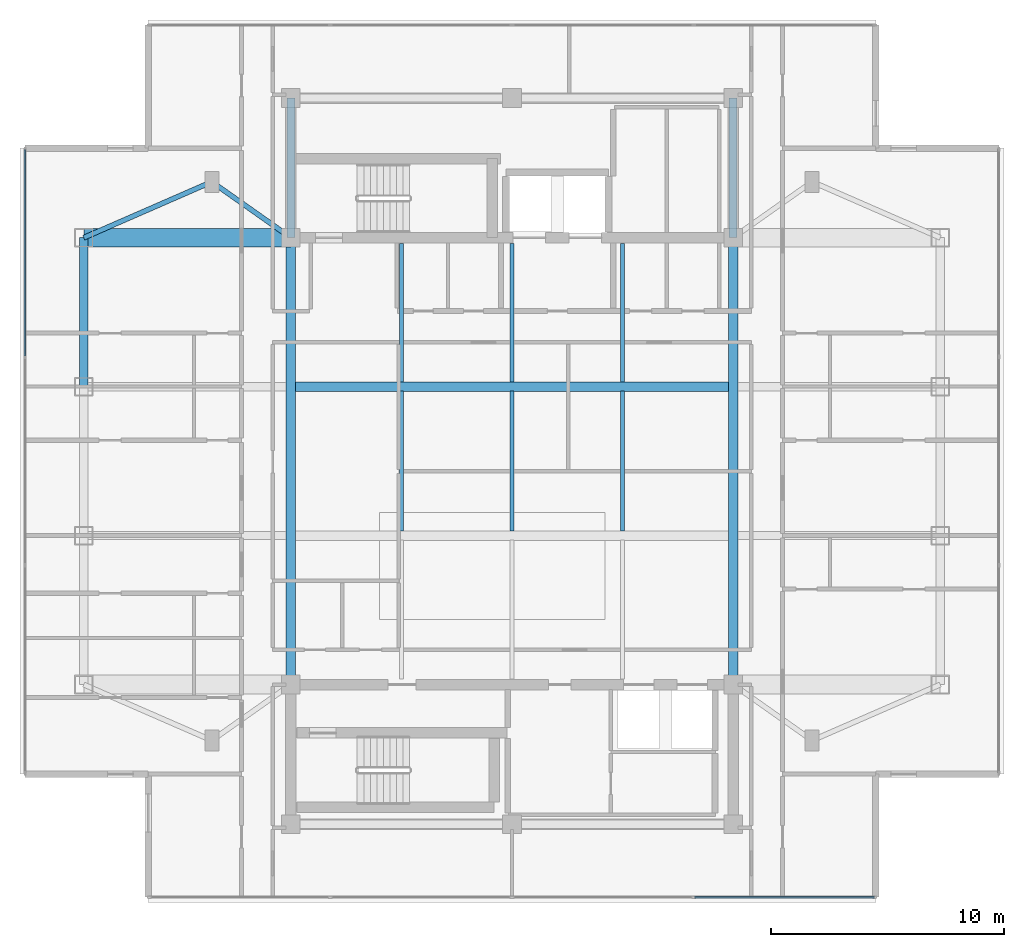
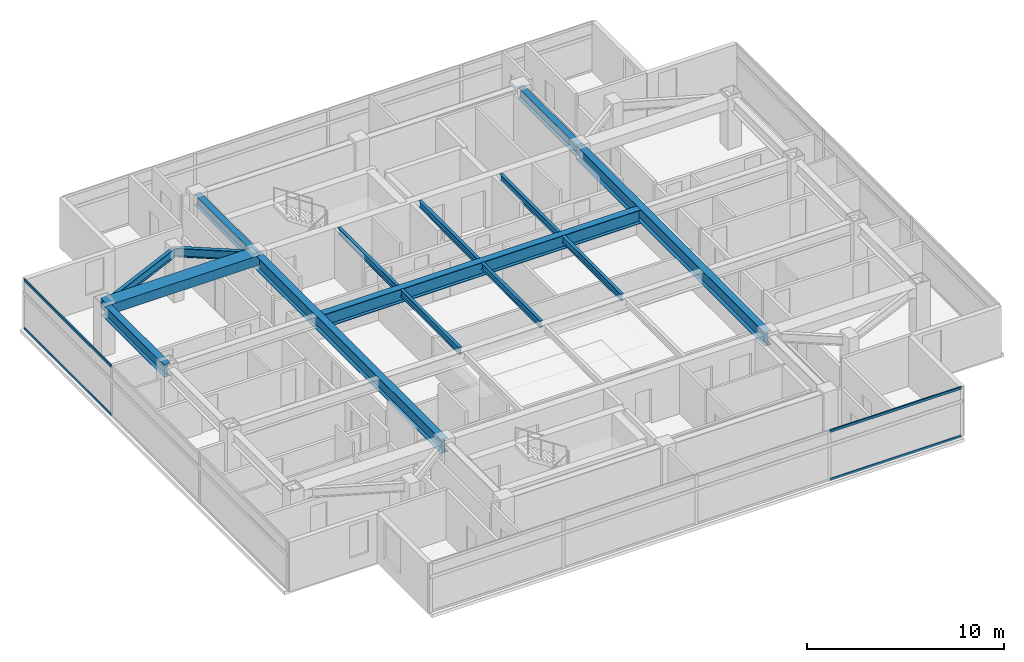
# One storey, part 3 of 15: 15 beams, 4 members, 2 elements without a shape of their own.
"""IFC4 building model written with IfcOpenShell, lengths in metres."""

from ifc_helpers import new_model, si_unit, direction, frame, origin, origin_2d, place, context, subcontext, project, spatial, rectangle, i_section, extrude, material, material_profile, profile_set, type_object, element, aggregate, save


model = new_model("IFC4")

# Units and contexts
model_context = context("Model", 3, precision=1e-05, world=origin(), true_north=direction((0.0, 1.0)))
body_context = subcontext(model_context, "Body", "Model", "MODEL_VIEW")
ifc_project = project(units=[si_unit("LENGTHUNIT", "METRE"), si_unit("AREAUNIT", "SQUARE_METRE"), si_unit("VOLUMEUNIT", "CUBIC_METRE"), si_unit("PLANEANGLEUNIT", "RADIAN"), si_unit("MASSUNIT", "GRAM", prefix="KILO")], contexts=[model_context])

# Site, building, storey
site_placement = place(None, origin())
site = spatial("IfcSite", under=ifc_project, at=site_placement, CompositionType="ELEMENT")
building_placement = place(site_placement, origin())
building = spatial("IfcBuilding", under=site, at=building_placement, Name="Mirazonda Arch Towers", CompositionType="ELEMENT")
storey_placement = place(building_placement, frame((0.0, 0.0, 229.300048828125)))
storey = spatial("IfcBuildingStorey", under=building, at=storey_placement, Name="L65", CompositionType="ELEMENT", Elevation=229.300048828125)

# Beams
ifc_material_1 = material(Name="Steel ASTM A992 Grade 50", Category="steel")
ifc_material_profile_1 = material_profile(ifc_material_1, i_section(OverallWidth=0.381103515625, OverallDepth=0.77294921875, WebThickness=0.0166015625, FlangeThickness=0.027099609375, at=origin_2d()), Name="W30X173")
ifc_profile_set_1 = profile_set([ifc_material_profile_1], Name="Steel ASTM A992 Grade 50")
beam_type_1 = type_object("IfcBeamType", Name="BM-EXT-W30X173", PredefinedType="USERDEFINED", material=ifc_profile_set_1)
beam_1_placement = place(storey_placement, frame((2.10009765625, 31.199951171875, 2.71337890625), z_axis=(0.0, 1.0, 0.0), x_axis=(-1.0, 0.0, 0.0)))
element("IfcBeam", 1, at=beam_1_placement, inside=storey, type_object=beam_type_1, Name="L65 Floor Beam BM-T1-L65-NS-W-31", ObjectType="GIRDER", PredefinedType="USERDEFINED", context=body_context, shape_type="SweptSolid", body=[
    extrude(i_section(OverallWidth=0.381103515625, OverallDepth=0.77294921875, WebThickness=0.0166015625, FlangeThickness=0.027099609375, at=origin_2d()), origin(), (0.0, 0.0, 1.0), 6.400146484375),
])
ifc_material_profile_2 = material_profile(ifc_material_1, i_section(OverallWidth=0.180908203125, OverallDepth=0.4169921875, WebThickness=0.010986328125, FlangeThickness=0.018310546875, at=origin_2d()), Name="W16X57")
ifc_profile_set_2 = profile_set([ifc_material_profile_2], Name="Steel ASTM A992 Grade 50")
beam_type_2 = type_object("IfcBeamType", Name="BM-INT-W16X57", PredefinedType="JOIST", material=ifc_profile_set_2)
beam_2_placement = place(storey_placement, frame((15.75, 31.39599609375, 2.891357421875), z_axis=(0.0, 1.0, 0.0), x_axis=(-1.0, 0.0, 0.0)))
element("IfcBeam", 2, at=beam_2_placement, inside=storey, type_object=beam_type_2, Name="L65 Floor Beam BM-T1-L65-J-157-31", PredefinedType="JOIST", context=body_context, shape_type="SweptSolid", body=[
    extrude(i_section(OverallWidth=0.180908203125, OverallDepth=0.4169921875, WebThickness=0.010986328125, FlangeThickness=0.018310546875, at=origin_2d()), origin(), (0.0, 0.0, 1.0), 5.964111328125),
])
beam_3_placement = place(storey_placement, frame((15.75, 24.99609375, 2.891357421875), z_axis=(0.0, 1.0, 0.0), x_axis=(-1.0, 0.0, 0.0)))
element("IfcBeam", 3, at=beam_3_placement, inside=storey, type_object=beam_type_2, Name="L65 Floor Beam BM-T1-L65-J-157-24", PredefinedType="JOIST", context=body_context, shape_type="SweptSolid", body=[
    extrude(i_section(OverallWidth=0.180908203125, OverallDepth=0.4169921875, WebThickness=0.010986328125, FlangeThickness=0.018310546875, at=origin_2d()), origin(), (0.0, 0.0, 1.0), 6.0078125),
])
beam_4_placement = place(storey_placement, frame((20.5, 31.39599609375, 2.891357421875), z_axis=(0.0, 1.0, 0.0), x_axis=(-1.0, 0.0, 0.0)))
element("IfcBeam", 4, at=beam_4_placement, inside=storey, type_object=beam_type_2, Name="L65 Floor Beam BM-T1-L65-J-205-31", PredefinedType="JOIST", context=body_context, shape_type="SweptSolid", body=[
    extrude(i_section(OverallWidth=0.180908203125, OverallDepth=0.4169921875, WebThickness=0.010986328125, FlangeThickness=0.018310546875, at=origin_2d()), origin(), (0.0, 0.0, 1.0), 5.964111328125),
])
beam_5_placement = place(storey_placement, frame((20.5, 24.99609375, 2.891357421875), z_axis=(0.0, 1.0, 0.0), x_axis=(-1.0, 0.0, 0.0)))
element("IfcBeam", 5, at=beam_5_placement, inside=storey, type_object=beam_type_2, Name="L65 Floor Beam BM-T1-L65-J-205-24", PredefinedType="JOIST", context=body_context, shape_type="SweptSolid", body=[
    extrude(i_section(OverallWidth=0.180908203125, OverallDepth=0.4169921875, WebThickness=0.010986328125, FlangeThickness=0.018310546875, at=origin_2d()), origin(), (0.0, 0.0, 1.0), 6.0078125),
])
beam_6_placement = place(storey_placement, frame((25.25, 31.39599609375, 2.891357421875), z_axis=(0.0, 1.0, 0.0), x_axis=(-1.0, 0.0, 0.0)))
element("IfcBeam", 6, at=beam_6_placement, inside=storey, type_object=beam_type_2, Name="L65 Floor Beam BM-T1-L65-J-252-31", PredefinedType="JOIST", context=body_context, shape_type="SweptSolid", body=[
    extrude(i_section(OverallWidth=0.180908203125, OverallDepth=0.4169921875, WebThickness=0.010986328125, FlangeThickness=0.018310546875, at=origin_2d()), origin(), (0.0, 0.0, 1.0), 5.964111328125),
])
beam_7_placement = place(storey_placement, frame((25.25, 24.99609375, 2.891357421875), z_axis=(0.0, 1.0, 0.0), x_axis=(-1.0, 0.0, 0.0)))
element("IfcBeam", 7, at=beam_7_placement, inside=storey, type_object=beam_type_2, Name="L65 Floor Beam BM-T1-L65-J-252-24", PredefinedType="JOIST", context=body_context, shape_type="SweptSolid", body=[
    extrude(i_section(OverallWidth=0.180908203125, OverallDepth=0.4169921875, WebThickness=0.010986328125, FlangeThickness=0.018310546875, at=origin_2d()), origin(), (0.0, 0.0, 1.0), 6.0078125),
])
ifc_material_profile_3 = material_profile(ifc_material_1, i_section(OverallWidth=0.214111328125, OverallDepth=0.549072265625, WebThickness=0.0146484375, FlangeThickness=0.023681640625, at=origin_2d()), Name="W21X93")
ifc_profile_set_3 = profile_set([ifc_material_profile_3], Name="Steel ASTM A992 Grade 50")
beam_type_3 = type_object("IfcBeamType", Name="BM-INT-W21X93", PredefinedType="BEAM", material=ifc_profile_set_3)
beam_8_placement = place(storey_placement, frame((7.60009765625, 40.0, 2.825439453125), z_axis=(0.816971114901, -0.576678591087, 0.0), x_axis=(0.576678591087, 0.816971114901, 0.0)))
element("IfcBeam", 8, at=beam_8_placement, inside=storey, type_object=beam_type_3, Name="L65 Floor Beam BM-T1-L65-PL-NW1", PredefinedType="BEAM", context=body_context, shape_type="SweptSolid", body=[
    extrude(i_section(OverallWidth=0.214111328125, OverallDepth=0.549072265625, WebThickness=0.0146484375, FlangeThickness=0.023681640625, at=origin_2d()), origin(), (0.0, 0.0, 1.0), 4.16162109375),
])
beam_9_placement = place(storey_placement, frame((7.60009765625, 40.0, 2.825439453125), z_axis=(-0.916545343703, -0.399930785183, 0.0), x_axis=(0.399930785183, -0.916545343703, 0.0)))
element("IfcBeam", 9, at=beam_9_placement, inside=storey, type_object=beam_type_3, Name="L65 Floor Beam BM-T1-L65-PL-NW2", PredefinedType="BEAM", context=body_context, shape_type="SweptSolid", body=[
    extrude(i_section(OverallWidth=0.214111328125, OverallDepth=0.549072265625, WebThickness=0.0146484375, FlangeThickness=0.023681640625, at=origin_2d()), origin(), (0.0, 0.0, 1.0), 6.000732421875),
])
ifc_material_profile_4 = material_profile(ifc_material_1, i_section(OverallWidth=0.35498046875, OverallDepth=0.696044921875, WebThickness=0.015380859375, FlangeThickness=0.02490234375, at=origin_2d()), Name="W27X146")
ifc_profile_set_4 = profile_set([ifc_material_profile_4], Name="Steel ASTM A992 Grade 50")
beam_type_4 = type_object("IfcBeamType", Name="BM-INT-W27X146", PredefinedType="BEAM", material=ifc_profile_set_4)
for number, where, z_axis, x_axis, name in (
    (10, (11.0, 37.60009765625, 2.751953125), (0.0, 1.0, 0.0), (-1.0, 0.0, 0.0), "L65 Floor Beam BM-T1-L65-CNW"),
    (11, (30.0, 37.60009765625, 2.751953125), (0.0, 1.0, 0.0), (-1.0, 0.0, 0.0), "L65 Floor Beam BM-T1-L65-CNE"),
):
    element("IfcBeam", number, at=place(storey_placement, frame(where, z_axis=z_axis, x_axis=x_axis)), inside=storey, type_object=beam_type_4, Name=name, PredefinedType="BEAM", context=body_context, shape_type="SweptSolid", body=[
        extrude(i_section(OverallWidth=0.35498046875, OverallDepth=0.696044921875, WebThickness=0.015380859375, FlangeThickness=0.02490234375, at=origin_2d()), origin(), (0.0, 0.0, 1.0), 6.0),
    ])
ifc_material_profile_5 = material_profile(ifc_material_1, i_section(OverallWidth=0.39990234375, OverallDepth=0.85595703125, WebThickness=0.018310546875, FlangeThickness=0.029296875, at=origin_2d()), Name="W33X201")
ifc_profile_set_5 = profile_set([ifc_material_profile_5], Name="Steel ASTM A992 Grade 50")
beam_type_5 = type_object("IfcBeamType", Name="BM-INT-W33X201", PredefinedType="USERDEFINED", material=ifc_profile_set_5)
beam_10_placement = place(storey_placement, frame((11.199951171875, 31.199951171875, 2.671875), z_axis=(1.0, 0.0, 0.0), x_axis=(0.0, 1.0, 0.0)))
element("IfcBeam", 12, at=beam_10_placement, inside=storey, type_object=beam_type_5, Name="L65 Floor Beam BM-T1-L65-GC3", ObjectType="GIRDER", PredefinedType="USERDEFINED", context=body_context, shape_type="SweptSolid", body=[
    extrude(i_section(OverallWidth=0.39990234375, OverallDepth=0.85595703125, WebThickness=0.018310546875, FlangeThickness=0.029296875, at=origin_2d()), origin(), (0.0, 0.0, 1.0), 18.60009765625),
])
for number, where, z_axis, x_axis, name in (
    (13, (11.0, 18.39990234375, 2.671875), (0.0, 1.0, 0.0), (-1.0, 0.0, 0.0), "L65 Floor Beam BM-T1-L65-NS-CW-FULL"),
    (14, (30.0, 18.39990234375, 2.671875), (0.0, 1.0, 0.0), (-1.0, 0.0, 0.0), "L65 Floor Beam BM-T1-L65-NS-CE-FULL"),
):
    element("IfcBeam", number, at=place(storey_placement, frame(where, z_axis=z_axis, x_axis=x_axis)), inside=storey, type_object=beam_type_5, Name=name, ObjectType="GIRDER", PredefinedType="USERDEFINED", context=body_context, shape_type="SweptSolid", body=[
        extrude(i_section(OverallWidth=0.39990234375, OverallDepth=0.85595703125, WebThickness=0.018310546875, FlangeThickness=0.029296875, at=origin_2d()), origin(), (0.0, 0.0, 1.0), 19.2001953125),
    ])
ifc_material_2 = material(Name="Concrete C60/75", Category="concrete")
ifc_material_profile_6 = material_profile(ifc_material_2, rectangle(XDim=0.800048828125, YDim=0.60009765625, at=origin_2d()), Name="RCCB800x600")
ifc_profile_set_6 = profile_set([ifc_material_profile_6], Name="Concrete C60/75")
beam_type_6 = type_object("IfcBeamType", Name="CB-INT-RCCB800x600", PredefinedType="SPANDREL", material=ifc_profile_set_6)
beam_11_placement = place(storey_placement, frame((2.10009765625, 37.60009765625, 2.800048828125), z_axis=(1.0, 0.0, 0.0), x_axis=(0.0, 1.0, 0.0)))
element("IfcBeam", 15, at=beam_11_placement, inside=storey, type_object=beam_type_6, Name="L65 Floor Beam CBC-T1-L65-NW", PredefinedType="SPANDREL", context=body_context, shape_type="SweptSolid", body=[
    extrude(rectangle(XDim=0.800048828125, YDim=0.60009765625, at=origin_2d()), origin(), (0.0, 0.0, 1.0), 8.89990234375),
])

# Curtain wall, members
ifc_material_3 = material(Name="Anodised Aluminium and Low-E Glass", Category="aluminium")
curtain_wall_type = type_object("IfcCurtainWallType", Name="CW-RES-UNIT", PredefinedType="NOTDEFINED", material=ifc_material_3)
curtain_wall_1_placement = place(storey_placement, origin())
curtain_wall_1 = element("IfcCurtainWall", 16, at=curtain_wall_1_placement, inside=storey, type_object=curtain_wall_type, Name="L65 T1 S Facade CW-L65-T1-S", PredefinedType="NOTDEFINED")
ifc_material_4 = material(Name="Anodised Aluminium Alloy", Category="aluminium")
ifc_material_profile_7 = material_profile(ifc_material_4, rectangle(XDim=0.074951171875, YDim=0.155029296875, at=origin_2d()), Name="ALU-TRAN-75x155")
ifc_profile_set_7 = profile_set([ifc_material_profile_7], Name="Anodised Aluminium Alloy")
member_type = type_object("IfcMemberType", Name="TRAN-CW-RES-UNIT", PredefinedType="USERDEFINED", material=ifc_profile_set_7)
member_1_placement = place(storey_placement, frame((36.054931640625, 9.26611328125, 0.037353515625), z_axis=(-1.0, 0.0, 0.0), x_axis=(0.0, -1.0, 0.0)))
member_1 = element("IfcMember", 17, at=member_1_placement, type_object=member_type, Name="CW-104 transom 1.1", ObjectType="TRANSOM", PredefinedType="USERDEFINED", context=body_context, shape_type="SweptSolid", body=[
    extrude(rectangle(XDim=0.074951171875, YDim=0.155029296875, at=origin_2d()), origin(), (0.0, 0.0, 1.0), 7.702392578125),
])
member_2_placement = place(storey_placement, frame((36.054931640625, 9.26611328125, 3.04248046875), z_axis=(-1.0, 0.0, 0.0), x_axis=(0.0, -1.0, 0.0)))
member_2 = element("IfcMember", 18, at=member_2_placement, type_object=member_type, Name="CW-104 transom 1.2", ObjectType="TRANSOM", PredefinedType="USERDEFINED", context=body_context, shape_type="SweptSolid", body=[
    extrude(rectangle(XDim=0.074951171875, YDim=0.155029296875, at=origin_2d()), origin(), (0.0, 0.0, 1.0), 7.702392578125),
])
aggregate(curtain_wall_1, [member_1, member_2])

curtain_wall_2_placement = place(storey_placement, origin())
curtain_wall_2 = element("IfcCurtainWall", 19, at=curtain_wall_2_placement, inside=storey, type_object=curtain_wall_type, Name="L65 T1 W Facade CW-L65-T1-W", PredefinedType="NOTDEFINED")
member_3_placement = place(storey_placement, frame((-0.419921875, 41.368896484375, 0.037353515625), z_axis=(0.0, -1.0, 0.0), x_axis=(1.0, 0.0, 0.0)))
member_3 = element("IfcMember", 20, at=member_3_placement, type_object=member_type, Name="CW-104 transom 1.1", ObjectType="TRANSOM", PredefinedType="USERDEFINED", context=body_context, shape_type="SweptSolid", body=[
    extrude(rectangle(XDim=0.074951171875, YDim=0.155029296875, at=origin_2d()), origin(), (0.0, 0.0, 1.0), 8.85009765625),
])
member_4_placement = place(storey_placement, frame((-0.419921875, 41.368896484375, 3.04248046875), z_axis=(0.0, -1.0, 0.0), x_axis=(1.0, 0.0, 0.0)))
member_4 = element("IfcMember", 21, at=member_4_placement, type_object=member_type, Name="CW-104 transom 1.2", ObjectType="TRANSOM", PredefinedType="USERDEFINED", context=body_context, shape_type="SweptSolid", body=[
    extrude(rectangle(XDim=0.074951171875, YDim=0.155029296875, at=origin_2d()), origin(), (0.0, 0.0, 1.0), 8.85009765625),
])
aggregate(curtain_wall_2, [member_3, member_4])

save(model, "model.ifc")
